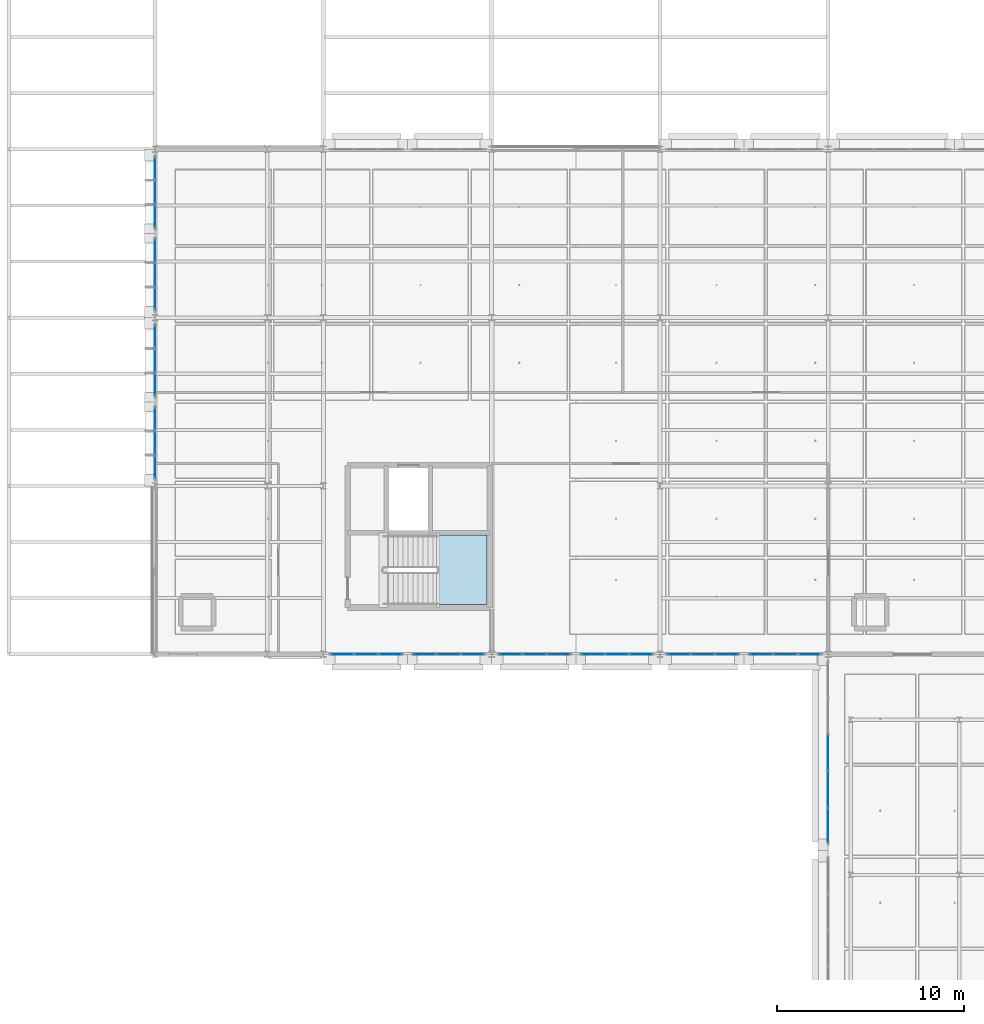
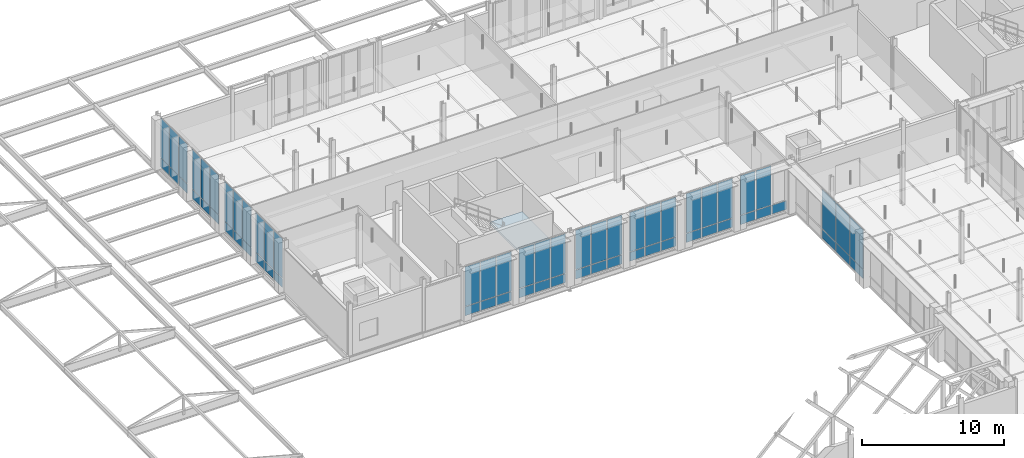
# One storey, part 74 of 140: 65 plates, 1 slab, 12 elements without a shape of their own.
"""IFC4 building model written with IfcOpenShell, lengths in metres."""

from ifc_helpers import new_model, si_unit, direction, frame, origin, origin_2d, place, context, subcontext, project, spatial, polyline, rectangle, outline, extrude, material, layer, layer_set, type_object, element, aggregate, save


model = new_model("IFC4")

# Units and contexts
model_context = context("Model", 3, precision=1e-05, world=origin(), true_north=direction((0.0, 1.0)))
body_context = subcontext(model_context, "Body", "Model", "MODEL_VIEW")
ifc_project = project(units=[si_unit("LENGTHUNIT", "METRE"), si_unit("AREAUNIT", "SQUARE_METRE"), si_unit("VOLUMEUNIT", "CUBIC_METRE"), si_unit("PLANEANGLEUNIT", "RADIAN"), si_unit("MASSUNIT", "GRAM", prefix="KILO"), si_unit("THERMODYNAMICTEMPERATUREUNIT", "KELVIN"), si_unit("POWERUNIT", "WATT")], contexts=[model_context])

# Site, building, storey
site_placement = place(None, origin())
site = spatial("IfcSite", under=ifc_project, at=site_placement, CompositionType="ELEMENT")
building_placement = place(site_placement, origin())
building = spatial("IfcBuilding", under=site, at=building_placement, Name="Tallowbark Science Centre", CompositionType="ELEMENT")
storey_placement = place(building_placement, frame((0.0, 0.0, 9.89990234375)))
storey = spatial("IfcBuildingStorey", under=building, at=storey_placement, Name="L02", CompositionType="ELEMENT", Elevation=9.89990234375)

# Curtain wall, plates
ifc_material_1 = material(Name="Unitised Thermally Broken Aluminium and Low-E Double Glazing", Category="aluminium")
curtain_wall_type = type_object("IfcCurtainWallType", Name="CW-SYS-FACADE", PredefinedType="NOTDEFINED", material=ifc_material_1)
curtain_wall_1_placement = place(storey_placement, origin())
curtain_wall_1 = element("IfcCurtainWall", 1, at=curtain_wall_1_placement, inside=storey, type_object=curtain_wall_type, Name="Unitised Curtain Wall LNK-W-2 CW-L02-020", PredefinedType="NOTDEFINED")
ifc_material_2 = material(Name="Double Glazed Argon Low-E Vision Glass", Category="glass")
ifc_layer_1 = layer(ifc_material_2, 0.028076171875)
ifc_layer_set_1 = layer_set([ifc_layer_1], Name="Double Glazed Argon Low-E Vision Glass")
plate_type_1 = type_object("IfcPlateType", Name="CWP-GLZ-28", PredefinedType="CURTAIN_PANEL", material=ifc_layer_set_1)
plate_1_placement = place(storey_placement, frame((99.0, 66.75, 0.05517578125), z_axis=(0.0, 0.0, 1.0), x_axis=(0.0, -1.0, 0.0)))
plate_1 = element("IfcPlate", 2, at=plate_1_placement, type_object=plate_type_1, Name="CW-01 panel 3.1", PredefinedType="CURTAIN_PANEL", context=body_context, shape_type="SweptSolid", body=[
    extrude(rectangle(XDim=1.89501953125, YDim=0.028076171875, at=origin_2d()), origin(), (0.0, 0.0, 1.0), 0.767578125),
])
plate_2_placement = place(storey_placement, frame((99.0, 66.75, 0.87744140625), z_axis=(0.0, 0.0, 1.0), x_axis=(0.0, -1.0, 0.0)))
plate_2 = element("IfcPlate", 3, at=plate_2_placement, type_object=plate_type_1, Name="CW-01 panel 3.2", PredefinedType="CURTAIN_PANEL", context=body_context, shape_type="SweptSolid", body=[
    extrude(rectangle(XDim=1.89501953125, YDim=0.028076171875, at=origin_2d()), origin(), (0.0, 0.0, 1.0), 3.387451171875),
])
plate_3_placement = place(storey_placement, frame((99.0, 64.7900390625, 0.05517578125), z_axis=(0.0, 0.0, 1.0), x_axis=(0.0, -1.0, 0.0)))
plate_3 = element("IfcPlate", 4, at=plate_3_placement, type_object=plate_type_1, Name="CW-01 panel 4.1", PredefinedType="CURTAIN_PANEL", context=body_context, shape_type="SweptSolid", body=[
    extrude(rectangle(XDim=1.89501953125, YDim=0.028076171875, at=origin_2d()), origin(), (0.0, 0.0, 1.0), 0.767578125),
])
plate_4_placement = place(storey_placement, frame((99.0, 64.7900390625, 0.87744140625), z_axis=(0.0, 0.0, 1.0), x_axis=(0.0, -1.0, 0.0)))
plate_4 = element("IfcPlate", 5, at=plate_4_placement, type_object=plate_type_1, Name="CW-01 panel 4.2", PredefinedType="CURTAIN_PANEL", context=body_context, shape_type="SweptSolid", body=[
    extrude(rectangle(XDim=1.89501953125, YDim=0.028076171875, at=origin_2d()), origin(), (0.0, 0.0, 1.0), 3.387451171875),
])
plate_5_placement = place(storey_placement, frame((99.0, 62.84619140625, 0.05517578125), z_axis=(0.0, 0.0, 1.0), x_axis=(0.0, -1.0, 0.0)))
plate_5 = element("IfcPlate", 6, at=plate_5_placement, type_object=plate_type_1, Name="CW-01 panel 5.1", PredefinedType="CURTAIN_PANEL", context=body_context, shape_type="SweptSolid", body=[
    extrude(rectangle(XDim=1.862548828125, YDim=0.028076171875, at=origin_2d()), origin(), (0.0, 0.0, 1.0), 0.767578125),
])
plate_6_placement = place(storey_placement, frame((99.0, 62.84619140625, 0.87744140625), z_axis=(0.0, 0.0, 1.0), x_axis=(0.0, -1.0, 0.0)))
plate_6 = element("IfcPlate", 7, at=plate_6_placement, type_object=plate_type_1, Name="CW-01 panel 5.2", PredefinedType="CURTAIN_PANEL", context=body_context, shape_type="SweptSolid", body=[
    extrude(rectangle(XDim=1.862548828125, YDim=0.028076171875, at=origin_2d()), origin(), (0.0, 0.0, 1.0), 3.387451171875),
])
aggregate(curtain_wall_1, [plate_1, plate_2, plate_3, plate_4, plate_5, plate_6])

curtain_wall_2_placement = place(storey_placement, origin())
curtain_wall_2 = element("IfcCurtainWall", 8, at=curtain_wall_2_placement, inside=storey, type_object=curtain_wall_type, Name="Unitised Curtain Wall LAB-S-72B CW-L02-061", PredefinedType="NOTDEFINED")
plate_7_placement = place(storey_placement, frame((77.416259765625, 72.0, 0.05517578125), z_axis=(0.0, 0.0, 1.0), x_axis=(1.0, 0.0, 0.0)))
plate_7 = element("IfcPlate", 9, at=plate_7_placement, type_object=plate_type_1, Name="CW-01 panel 1.1", PredefinedType="CURTAIN_PANEL", context=body_context, shape_type="SweptSolid", body=[
    extrude(rectangle(XDim=1.202392578125, YDim=0.028076171875, at=origin_2d()), origin(), (0.0, 0.0, 1.0), 0.767578125),
])
plate_8_placement = place(storey_placement, frame((77.416259765625, 72.0, 0.87744140625), z_axis=(0.0, 0.0, 1.0), x_axis=(1.0, 0.0, 0.0)))
plate_8 = element("IfcPlate", 10, at=plate_8_placement, type_object=plate_type_1, Name="CW-01 panel 1.2", PredefinedType="CURTAIN_PANEL", context=body_context, shape_type="SweptSolid", body=[
    extrude(rectangle(XDim=1.202392578125, YDim=0.028076171875, at=origin_2d()), origin(), (0.0, 0.0, 1.0), 3.387451171875),
])
plate_9_placement = place(storey_placement, frame((78.699951171875, 72.0, 0.05517578125), z_axis=(0.0, 0.0, 1.0), x_axis=(1.0, 0.0, 0.0)))
plate_9 = element("IfcPlate", 11, at=plate_9_placement, type_object=plate_type_1, Name="CW-01 panel 2.1", PredefinedType="CURTAIN_PANEL", context=body_context, shape_type="SweptSolid", body=[
    extrude(rectangle(XDim=1.235107421875, YDim=0.028076171875, at=origin_2d()), origin(), (0.0, 0.0, 1.0), 0.767578125),
])
plate_10_placement = place(storey_placement, frame((78.699951171875, 72.0, 0.87744140625), z_axis=(0.0, 0.0, 1.0), x_axis=(1.0, 0.0, 0.0)))
plate_10 = element("IfcPlate", 12, at=plate_10_placement, type_object=plate_type_1, Name="CW-01 panel 2.2", PredefinedType="CURTAIN_PANEL", context=body_context, shape_type="SweptSolid", body=[
    extrude(rectangle(XDim=1.235107421875, YDim=0.028076171875, at=origin_2d()), origin(), (0.0, 0.0, 1.0), 3.387451171875),
])
plate_11_placement = place(storey_placement, frame((79.983642578125, 72.0, 0.05517578125), z_axis=(0.0, 0.0, 1.0), x_axis=(1.0, 0.0, 0.0)))
plate_11 = element("IfcPlate", 13, at=plate_11_placement, type_object=plate_type_1, Name="CW-01 panel 3.1", PredefinedType="CURTAIN_PANEL", context=body_context, shape_type="SweptSolid", body=[
    extrude(rectangle(XDim=1.202392578125, YDim=0.028076171875, at=origin_2d()), origin(), (0.0, 0.0, 1.0), 0.767578125),
])
plate_12_placement = place(storey_placement, frame((79.983642578125, 72.0, 0.87744140625), z_axis=(0.0, 0.0, 1.0), x_axis=(1.0, 0.0, 0.0)))
plate_12 = element("IfcPlate", 14, at=plate_12_placement, type_object=plate_type_1, Name="CW-01 panel 3.2", PredefinedType="CURTAIN_PANEL", context=body_context, shape_type="SweptSolid", body=[
    extrude(rectangle(XDim=1.202392578125, YDim=0.028076171875, at=origin_2d()), origin(), (0.0, 0.0, 1.0), 3.387451171875),
])
aggregate(curtain_wall_2, [plate_7, plate_8, plate_9, plate_10, plate_11, plate_12])

curtain_wall_3_placement = place(storey_placement, origin())
curtain_wall_3 = element("IfcCurtainWall", 15, at=curtain_wall_3_placement, inside=storey, type_object=curtain_wall_type, Name="Unitised Curtain Wall LAB-S-81A CW-L02-062", PredefinedType="NOTDEFINED")
plate_13_placement = place(storey_placement, frame((82.016357421875, 72.0, 0.05517578125), z_axis=(0.0, 0.0, 1.0), x_axis=(1.0, 0.0, 0.0)))
plate_13 = element("IfcPlate", 16, at=plate_13_placement, type_object=plate_type_1, Name="CW-01 panel 1.1", PredefinedType="CURTAIN_PANEL", context=body_context, shape_type="SweptSolid", body=[
    extrude(rectangle(XDim=1.202392578125, YDim=0.028076171875, at=origin_2d()), origin(), (0.0, 0.0, 1.0), 0.767578125),
])
plate_14_placement = place(storey_placement, frame((82.016357421875, 72.0, 0.87744140625), z_axis=(0.0, 0.0, 1.0), x_axis=(1.0, 0.0, 0.0)))
plate_14 = element("IfcPlate", 17, at=plate_14_placement, type_object=plate_type_1, Name="CW-01 panel 1.2", PredefinedType="CURTAIN_PANEL", context=body_context, shape_type="SweptSolid", body=[
    extrude(rectangle(XDim=1.202392578125, YDim=0.028076171875, at=origin_2d()), origin(), (0.0, 0.0, 1.0), 3.387451171875),
])
plate_15_placement = place(storey_placement, frame((83.300048828125, 72.0, 0.05517578125), z_axis=(0.0, 0.0, 1.0), x_axis=(1.0, 0.0, 0.0)))
plate_15 = element("IfcPlate", 18, at=plate_15_placement, type_object=plate_type_1, Name="CW-01 panel 2.1", PredefinedType="CURTAIN_PANEL", context=body_context, shape_type="SweptSolid", body=[
    extrude(rectangle(XDim=1.235107421875, YDim=0.028076171875, at=origin_2d()), origin(), (0.0, 0.0, 1.0), 0.767578125),
])
plate_16_placement = place(storey_placement, frame((83.300048828125, 72.0, 0.87744140625), z_axis=(0.0, 0.0, 1.0), x_axis=(1.0, 0.0, 0.0)))
plate_16 = element("IfcPlate", 19, at=plate_16_placement, type_object=plate_type_1, Name="CW-01 panel 2.2", PredefinedType="CURTAIN_PANEL", context=body_context, shape_type="SweptSolid", body=[
    extrude(rectangle(XDim=1.235107421875, YDim=0.028076171875, at=origin_2d()), origin(), (0.0, 0.0, 1.0), 3.387451171875),
])
plate_17_placement = place(storey_placement, frame((84.583740234375, 72.0, 0.05517578125), z_axis=(0.0, 0.0, 1.0), x_axis=(1.0, 0.0, 0.0)))
plate_17 = element("IfcPlate", 20, at=plate_17_placement, type_object=plate_type_1, Name="CW-01 panel 3.1", PredefinedType="CURTAIN_PANEL", context=body_context, shape_type="SweptSolid", body=[
    extrude(rectangle(XDim=1.202392578125, YDim=0.028076171875, at=origin_2d()), origin(), (0.0, 0.0, 1.0), 0.767578125),
])
plate_18_placement = place(storey_placement, frame((84.583740234375, 72.0, 0.87744140625), z_axis=(0.0, 0.0, 1.0), x_axis=(1.0, 0.0, 0.0)))
plate_18 = element("IfcPlate", 21, at=plate_18_placement, type_object=plate_type_1, Name="CW-01 panel 3.2", PredefinedType="CURTAIN_PANEL", context=body_context, shape_type="SweptSolid", body=[
    extrude(rectangle(XDim=1.202392578125, YDim=0.028076171875, at=origin_2d()), origin(), (0.0, 0.0, 1.0), 3.387451171875),
])
aggregate(curtain_wall_3, [plate_13, plate_14, plate_15, plate_16, plate_17, plate_18])

curtain_wall_4_placement = place(storey_placement, origin())
curtain_wall_4 = element("IfcCurtainWall", 22, at=curtain_wall_4_placement, inside=storey, type_object=curtain_wall_type, Name="Unitised Curtain Wall LAB-S-90A CW-L02-064", PredefinedType="NOTDEFINED")
plate_19_placement = place(storey_placement, frame((91.016357421875, 72.0, 0.05517578125), z_axis=(0.0, 0.0, 1.0), x_axis=(1.0, 0.0, 0.0)))
plate_19 = element("IfcPlate", 23, at=plate_19_placement, type_object=plate_type_1, Name="CW-01 panel 1.1", PredefinedType="CURTAIN_PANEL", context=body_context, shape_type="SweptSolid", body=[
    extrude(rectangle(XDim=1.202392578125, YDim=0.028076171875, at=origin_2d()), origin(), (0.0, 0.0, 1.0), 0.767578125),
])
plate_20_placement = place(storey_placement, frame((91.016357421875, 72.0, 0.87744140625), z_axis=(0.0, 0.0, 1.0), x_axis=(1.0, 0.0, 0.0)))
plate_20 = element("IfcPlate", 24, at=plate_20_placement, type_object=plate_type_1, Name="CW-01 panel 1.2", PredefinedType="CURTAIN_PANEL", context=body_context, shape_type="SweptSolid", body=[
    extrude(rectangle(XDim=1.202392578125, YDim=0.028076171875, at=origin_2d()), origin(), (0.0, 0.0, 1.0), 3.387451171875),
])
plate_21_placement = place(storey_placement, frame((92.300048828125, 72.0, 0.05517578125), z_axis=(0.0, 0.0, 1.0), x_axis=(1.0, 0.0, 0.0)))
plate_21 = element("IfcPlate", 25, at=plate_21_placement, type_object=plate_type_1, Name="CW-01 panel 2.1", PredefinedType="CURTAIN_PANEL", context=body_context, shape_type="SweptSolid", body=[
    extrude(rectangle(XDim=1.235107421875, YDim=0.028076171875, at=origin_2d()), origin(), (0.0, 0.0, 1.0), 0.767578125),
])
plate_22_placement = place(storey_placement, frame((92.300048828125, 72.0, 0.87744140625), z_axis=(0.0, 0.0, 1.0), x_axis=(1.0, 0.0, 0.0)))
plate_22 = element("IfcPlate", 26, at=plate_22_placement, type_object=plate_type_1, Name="CW-01 panel 2.2", PredefinedType="CURTAIN_PANEL", context=body_context, shape_type="SweptSolid", body=[
    extrude(rectangle(XDim=1.235107421875, YDim=0.028076171875, at=origin_2d()), origin(), (0.0, 0.0, 1.0), 3.387451171875),
])
plate_23_placement = place(storey_placement, frame((93.583740234375, 72.0, 0.05517578125), z_axis=(0.0, 0.0, 1.0), x_axis=(1.0, 0.0, 0.0)))
plate_23 = element("IfcPlate", 27, at=plate_23_placement, type_object=plate_type_1, Name="CW-01 panel 3.1", PredefinedType="CURTAIN_PANEL", context=body_context, shape_type="SweptSolid", body=[
    extrude(rectangle(XDim=1.202392578125, YDim=0.028076171875, at=origin_2d()), origin(), (0.0, 0.0, 1.0), 0.767578125),
])
plate_24_placement = place(storey_placement, frame((93.583740234375, 72.0, 0.87744140625), z_axis=(0.0, 0.0, 1.0), x_axis=(1.0, 0.0, 0.0)))
plate_24 = element("IfcPlate", 28, at=plate_24_placement, type_object=plate_type_1, Name="CW-01 panel 3.2", PredefinedType="CURTAIN_PANEL", context=body_context, shape_type="SweptSolid", body=[
    extrude(rectangle(XDim=1.202392578125, YDim=0.028076171875, at=origin_2d()), origin(), (0.0, 0.0, 1.0), 3.387451171875),
])
aggregate(curtain_wall_4, [plate_19, plate_20, plate_21, plate_22, plate_23, plate_24])

curtain_wall_5_placement = place(storey_placement, origin())
curtain_wall_5 = element("IfcCurtainWall", 29, at=curtain_wall_5_placement, inside=storey, type_object=curtain_wall_type, Name="Unitised Curtain Wall LAB-S-90B CW-L02-065", PredefinedType="NOTDEFINED")
plate_25_placement = place(storey_placement, frame((95.416259765625, 72.0, 0.05517578125), z_axis=(0.0, 0.0, 1.0), x_axis=(1.0, 0.0, 0.0)))
plate_25 = element("IfcPlate", 30, at=plate_25_placement, type_object=plate_type_1, Name="CW-01 panel 1.1", PredefinedType="CURTAIN_PANEL", context=body_context, shape_type="SweptSolid", body=[
    extrude(rectangle(XDim=1.202392578125, YDim=0.028076171875, at=origin_2d()), origin(), (0.0, 0.0, 1.0), 0.767578125),
])
plate_26_placement = place(storey_placement, frame((95.416259765625, 72.0, 0.87744140625), z_axis=(0.0, 0.0, 1.0), x_axis=(1.0, 0.0, 0.0)))
plate_26 = element("IfcPlate", 31, at=plate_26_placement, type_object=plate_type_1, Name="CW-01 panel 1.2", PredefinedType="CURTAIN_PANEL", context=body_context, shape_type="SweptSolid", body=[
    extrude(rectangle(XDim=1.202392578125, YDim=0.028076171875, at=origin_2d()), origin(), (0.0, 0.0, 1.0), 3.387451171875),
])
plate_27_placement = place(storey_placement, frame((96.699951171875, 72.0, 0.05517578125), z_axis=(0.0, 0.0, 1.0), x_axis=(1.0, 0.0, 0.0)))
plate_27 = element("IfcPlate", 32, at=plate_27_placement, type_object=plate_type_1, Name="CW-01 panel 2.1", PredefinedType="CURTAIN_PANEL", context=body_context, shape_type="SweptSolid", body=[
    extrude(rectangle(XDim=1.235107421875, YDim=0.028076171875, at=origin_2d()), origin(), (0.0, 0.0, 1.0), 0.767578125),
])
plate_28_placement = place(storey_placement, frame((96.699951171875, 72.0, 0.87744140625), z_axis=(0.0, 0.0, 1.0), x_axis=(1.0, 0.0, 0.0)))
plate_28 = element("IfcPlate", 33, at=plate_28_placement, type_object=plate_type_1, Name="CW-01 panel 2.2", PredefinedType="CURTAIN_PANEL", context=body_context, shape_type="SweptSolid", body=[
    extrude(rectangle(XDim=1.235107421875, YDim=0.028076171875, at=origin_2d()), origin(), (0.0, 0.0, 1.0), 3.387451171875),
])
plate_29_placement = place(storey_placement, frame((97.983642578125, 72.0, 0.05517578125), z_axis=(0.0, 0.0, 1.0), x_axis=(1.0, 0.0, 0.0)))
plate_29 = element("IfcPlate", 34, at=plate_29_placement, type_object=plate_type_1, Name="CW-01 panel 3.1", PredefinedType="CURTAIN_PANEL", context=body_context, shape_type="SweptSolid", body=[
    extrude(rectangle(XDim=1.202392578125, YDim=0.028076171875, at=origin_2d()), origin(), (0.0, 0.0, 1.0), 0.767578125),
])
aggregate(curtain_wall_5, [plate_25, plate_26, plate_27, plate_28, plate_29])

curtain_wall_6_placement = place(storey_placement, origin())
curtain_wall_6 = element("IfcCurtainWall", 35, at=curtain_wall_6_placement, inside=storey, type_object=curtain_wall_type, Name="Unitised Curtain Wall LAB-W-81B CW-L02-067", PredefinedType="NOTDEFINED")
plate_30_placement = place(storey_placement, frame((63.0, 84.583740234375, 0.05517578125), z_axis=(0.0, 0.0, 1.0), x_axis=(0.0, -1.0, 0.0)))
plate_30 = element("IfcPlate", 36, at=plate_30_placement, type_object=plate_type_1, Name="CW-01 panel 1.1", PredefinedType="CURTAIN_PANEL", context=body_context, shape_type="SweptSolid", body=[
    extrude(rectangle(XDim=1.202392578125, YDim=0.028076171875, at=origin_2d()), origin(), (0.0, 0.0, 1.0), 0.767578125),
])
plate_31_placement = place(storey_placement, frame((63.0, 84.583740234375, 0.87744140625), z_axis=(0.0, 0.0, 1.0), x_axis=(0.0, -1.0, 0.0)))
plate_31 = element("IfcPlate", 37, at=plate_31_placement, type_object=plate_type_1, Name="CW-01 panel 1.2", PredefinedType="CURTAIN_PANEL", context=body_context, shape_type="SweptSolid", body=[
    extrude(rectangle(XDim=1.202392578125, YDim=0.028076171875, at=origin_2d()), origin(), (0.0, 0.0, 1.0), 3.387451171875),
])
plate_32_placement = place(storey_placement, frame((63.0, 83.300048828125, 0.05517578125), z_axis=(0.0, 0.0, 1.0), x_axis=(0.0, -1.0, 0.0)))
plate_32 = element("IfcPlate", 38, at=plate_32_placement, type_object=plate_type_1, Name="CW-01 panel 2.1", PredefinedType="CURTAIN_PANEL", context=body_context, shape_type="SweptSolid", body=[
    extrude(rectangle(XDim=1.235107421875, YDim=0.028076171875, at=origin_2d()), origin(), (0.0, 0.0, 1.0), 0.767578125),
])
plate_33_placement = place(storey_placement, frame((63.0, 83.300048828125, 0.87744140625), z_axis=(0.0, 0.0, 1.0), x_axis=(0.0, -1.0, 0.0)))
plate_33 = element("IfcPlate", 39, at=plate_33_placement, type_object=plate_type_1, Name="CW-01 panel 2.2", PredefinedType="CURTAIN_PANEL", context=body_context, shape_type="SweptSolid", body=[
    extrude(rectangle(XDim=1.235107421875, YDim=0.028076171875, at=origin_2d()), origin(), (0.0, 0.0, 1.0), 3.387451171875),
])
plate_34_placement = place(storey_placement, frame((63.0, 82.016357421875, 0.05517578125), z_axis=(0.0, 0.0, 1.0), x_axis=(0.0, -1.0, 0.0)))
plate_34 = element("IfcPlate", 40, at=plate_34_placement, type_object=plate_type_1, Name="CW-01 panel 3.1", PredefinedType="CURTAIN_PANEL", context=body_context, shape_type="SweptSolid", body=[
    extrude(rectangle(XDim=1.202392578125, YDim=0.028076171875, at=origin_2d()), origin(), (0.0, 0.0, 1.0), 0.767578125),
])
plate_35_placement = place(storey_placement, frame((63.0, 82.016357421875, 0.87744140625), z_axis=(0.0, 0.0, 1.0), x_axis=(0.0, -1.0, 0.0)))
plate_35 = element("IfcPlate", 41, at=plate_35_placement, type_object=plate_type_1, Name="CW-01 panel 3.2", PredefinedType="CURTAIN_PANEL", context=body_context, shape_type="SweptSolid", body=[
    extrude(rectangle(XDim=1.202392578125, YDim=0.028076171875, at=origin_2d()), origin(), (0.0, 0.0, 1.0), 3.387451171875),
])
aggregate(curtain_wall_6, [plate_30, plate_31, plate_32, plate_33, plate_34, plate_35])

curtain_wall_7_placement = place(storey_placement, origin())
curtain_wall_7 = element("IfcCurtainWall", 42, at=curtain_wall_7_placement, inside=storey, type_object=curtain_wall_type, Name="Unitised Curtain Wall LAB-W-90A CW-L02-068", PredefinedType="NOTDEFINED")
plate_36_placement = place(storey_placement, frame((63.0, 97.983642578125, 0.05517578125), z_axis=(0.0, 0.0, 1.0), x_axis=(0.0, -1.0, 0.0)))
plate_36 = element("IfcPlate", 43, at=plate_36_placement, type_object=plate_type_1, Name="CW-01 panel 1.1", PredefinedType="CURTAIN_PANEL", context=body_context, shape_type="SweptSolid", body=[
    extrude(rectangle(XDim=1.202392578125, YDim=0.028076171875, at=origin_2d()), origin(), (0.0, 0.0, 1.0), 0.767578125),
])
plate_37_placement = place(storey_placement, frame((63.0, 97.983642578125, 0.87744140625), z_axis=(0.0, 0.0, 1.0), x_axis=(0.0, -1.0, 0.0)))
plate_37 = element("IfcPlate", 44, at=plate_37_placement, type_object=plate_type_1, Name="CW-01 panel 1.2", PredefinedType="CURTAIN_PANEL", context=body_context, shape_type="SweptSolid", body=[
    extrude(rectangle(XDim=1.202392578125, YDim=0.028076171875, at=origin_2d()), origin(), (0.0, 0.0, 1.0), 3.387451171875),
])
plate_38_placement = place(storey_placement, frame((63.0, 96.699951171875, 0.05517578125), z_axis=(0.0, 0.0, 1.0), x_axis=(0.0, -1.0, 0.0)))
plate_38 = element("IfcPlate", 45, at=plate_38_placement, type_object=plate_type_1, Name="CW-01 panel 2.1", PredefinedType="CURTAIN_PANEL", context=body_context, shape_type="SweptSolid", body=[
    extrude(rectangle(XDim=1.235107421875, YDim=0.028076171875, at=origin_2d()), origin(), (0.0, 0.0, 1.0), 0.767578125),
])
plate_39_placement = place(storey_placement, frame((63.0, 96.699951171875, 0.87744140625), z_axis=(0.0, 0.0, 1.0), x_axis=(0.0, -1.0, 0.0)))
plate_39 = element("IfcPlate", 46, at=plate_39_placement, type_object=plate_type_1, Name="CW-01 panel 2.2", PredefinedType="CURTAIN_PANEL", context=body_context, shape_type="SweptSolid", body=[
    extrude(rectangle(XDim=1.235107421875, YDim=0.028076171875, at=origin_2d()), origin(), (0.0, 0.0, 1.0), 3.387451171875),
])
plate_40_placement = place(storey_placement, frame((63.0, 95.416259765625, 0.05517578125), z_axis=(0.0, 0.0, 1.0), x_axis=(0.0, -1.0, 0.0)))
plate_40 = element("IfcPlate", 47, at=plate_40_placement, type_object=plate_type_1, Name="CW-01 panel 3.1", PredefinedType="CURTAIN_PANEL", context=body_context, shape_type="SweptSolid", body=[
    extrude(rectangle(XDim=1.202392578125, YDim=0.028076171875, at=origin_2d()), origin(), (0.0, 0.0, 1.0), 0.767578125),
])
plate_41_placement = place(storey_placement, frame((63.0, 95.416259765625, 0.87744140625), z_axis=(0.0, 0.0, 1.0), x_axis=(0.0, -1.0, 0.0)))
plate_41 = element("IfcPlate", 48, at=plate_41_placement, type_object=plate_type_1, Name="CW-01 panel 3.2", PredefinedType="CURTAIN_PANEL", context=body_context, shape_type="SweptSolid", body=[
    extrude(rectangle(XDim=1.202392578125, YDim=0.028076171875, at=origin_2d()), origin(), (0.0, 0.0, 1.0), 3.387451171875),
])
aggregate(curtain_wall_7, [plate_36, plate_37, plate_38, plate_39, plate_40, plate_41])

curtain_wall_8_placement = place(storey_placement, origin())
curtain_wall_8 = element("IfcCurtainWall", 49, at=curtain_wall_8_placement, inside=storey, type_object=curtain_wall_type, Name="Unitised Curtain Wall LAB-S-72A CW-L02-060", PredefinedType="NOTDEFINED")
ifc_material_3 = material(Name="Ceramic-Fritted Insulated Glass Spandrel Panel", Category="glass")
ifc_layer_2 = layer(ifc_material_3, 0.031982421875)
ifc_layer_set_2 = layer_set([ifc_layer_2], Name="Ceramic-Fritted Insulated Glass Spandrel Panel")
plate_type_2 = type_object("IfcPlateType", Name="CWP-SPN-32", PredefinedType="CURTAIN_PANEL", material=ifc_layer_set_2)
plate_42_placement = place(storey_placement, frame((73.016357421875, 72.0, 0.05517578125), z_axis=(0.0, 0.0, 1.0), x_axis=(1.0, 0.0, 0.0)))
plate_42 = element("IfcPlate", 50, at=plate_42_placement, type_object=plate_type_2, Name="CW-01 panel 1.1", PredefinedType="CURTAIN_PANEL", context=body_context, shape_type="SweptSolid", body=[
    extrude(rectangle(XDim=1.202392578125, YDim=0.031982421875, at=origin_2d()), origin(), (0.0, 0.0, 1.0), 0.767578125),
])
plate_43_placement = place(storey_placement, frame((73.016357421875, 72.0, 0.87744140625), z_axis=(0.0, 0.0, 1.0), x_axis=(1.0, 0.0, 0.0)))
plate_43 = element("IfcPlate", 51, at=plate_43_placement, type_object=plate_type_2, Name="CW-01 panel 1.2", PredefinedType="CURTAIN_PANEL", context=body_context, shape_type="SweptSolid", body=[
    extrude(rectangle(XDim=1.202392578125, YDim=0.031982421875, at=origin_2d()), origin(), (0.0, 0.0, 1.0), 3.387451171875),
])
plate_44_placement = place(storey_placement, frame((74.300048828125, 72.0, 0.05517578125), z_axis=(0.0, 0.0, 1.0), x_axis=(1.0, 0.0, 0.0)))
plate_44 = element("IfcPlate", 52, at=plate_44_placement, type_object=plate_type_2, Name="CW-01 panel 2.1", PredefinedType="CURTAIN_PANEL", context=body_context, shape_type="SweptSolid", body=[
    extrude(rectangle(XDim=1.235107421875, YDim=0.031982421875, at=origin_2d()), origin(), (0.0, 0.0, 1.0), 0.767578125),
])
plate_45_placement = place(storey_placement, frame((74.300048828125, 72.0, 0.87744140625), z_axis=(0.0, 0.0, 1.0), x_axis=(1.0, 0.0, 0.0)))
plate_45 = element("IfcPlate", 53, at=plate_45_placement, type_object=plate_type_2, Name="CW-01 panel 2.2", PredefinedType="CURTAIN_PANEL", context=body_context, shape_type="SweptSolid", body=[
    extrude(rectangle(XDim=1.235107421875, YDim=0.031982421875, at=origin_2d()), origin(), (0.0, 0.0, 1.0), 3.387451171875),
])
plate_46_placement = place(storey_placement, frame((75.583740234375, 72.0, 0.05517578125), z_axis=(0.0, 0.0, 1.0), x_axis=(1.0, 0.0, 0.0)))
plate_46 = element("IfcPlate", 54, at=plate_46_placement, type_object=plate_type_2, Name="CW-01 panel 3.1", PredefinedType="CURTAIN_PANEL", context=body_context, shape_type="SweptSolid", body=[
    extrude(rectangle(XDim=1.202392578125, YDim=0.031982421875, at=origin_2d()), origin(), (0.0, 0.0, 1.0), 0.767578125),
])
plate_47_placement = place(storey_placement, frame((75.583740234375, 72.0, 0.87744140625), z_axis=(0.0, 0.0, 1.0), x_axis=(1.0, 0.0, 0.0)))
plate_47 = element("IfcPlate", 55, at=plate_47_placement, type_object=plate_type_2, Name="CW-01 panel 3.2", PredefinedType="CURTAIN_PANEL", context=body_context, shape_type="SweptSolid", body=[
    extrude(rectangle(XDim=1.202392578125, YDim=0.031982421875, at=origin_2d()), origin(), (0.0, 0.0, 1.0), 3.387451171875),
])
aggregate(curtain_wall_8, [plate_42, plate_43, plate_44, plate_45, plate_46, plate_47])

curtain_wall_9_placement = place(storey_placement, origin())
curtain_wall_9 = element("IfcCurtainWall", 56, at=curtain_wall_9_placement, inside=storey, type_object=curtain_wall_type, Name="Unitised Curtain Wall LAB-S-81B CW-L02-063", PredefinedType="NOTDEFINED")
plate_48_placement = place(storey_placement, frame((86.416259765625, 72.0, 0.05517578125), z_axis=(0.0, 0.0, 1.0), x_axis=(1.0, 0.0, 0.0)))
plate_48 = element("IfcPlate", 57, at=plate_48_placement, type_object=plate_type_2, Name="CW-01 panel 1.1", PredefinedType="CURTAIN_PANEL", context=body_context, shape_type="SweptSolid", body=[
    extrude(rectangle(XDim=1.202392578125, YDim=0.031982421875, at=origin_2d()), origin(), (0.0, 0.0, 1.0), 0.767578125),
])
plate_49_placement = place(storey_placement, frame((86.416259765625, 72.0, 0.87744140625), z_axis=(0.0, 0.0, 1.0), x_axis=(1.0, 0.0, 0.0)))
plate_49 = element("IfcPlate", 58, at=plate_49_placement, type_object=plate_type_2, Name="CW-01 panel 1.2", PredefinedType="CURTAIN_PANEL", context=body_context, shape_type="SweptSolid", body=[
    extrude(rectangle(XDim=1.202392578125, YDim=0.031982421875, at=origin_2d()), origin(), (0.0, 0.0, 1.0), 3.387451171875),
])
plate_50_placement = place(storey_placement, frame((87.699951171875, 72.0, 0.05517578125), z_axis=(0.0, 0.0, 1.0), x_axis=(1.0, 0.0, 0.0)))
plate_50 = element("IfcPlate", 59, at=plate_50_placement, type_object=plate_type_2, Name="CW-01 panel 2.1", PredefinedType="CURTAIN_PANEL", context=body_context, shape_type="SweptSolid", body=[
    extrude(rectangle(XDim=1.235107421875, YDim=0.031982421875, at=origin_2d()), origin(), (0.0, 0.0, 1.0), 0.767578125),
])
plate_51_placement = place(storey_placement, frame((87.699951171875, 72.0, 0.87744140625), z_axis=(0.0, 0.0, 1.0), x_axis=(1.0, 0.0, 0.0)))
plate_51 = element("IfcPlate", 60, at=plate_51_placement, type_object=plate_type_2, Name="CW-01 panel 2.2", PredefinedType="CURTAIN_PANEL", context=body_context, shape_type="SweptSolid", body=[
    extrude(rectangle(XDim=1.235107421875, YDim=0.031982421875, at=origin_2d()), origin(), (0.0, 0.0, 1.0), 3.387451171875),
])
plate_52_placement = place(storey_placement, frame((88.983642578125, 72.0, 0.05517578125), z_axis=(0.0, 0.0, 1.0), x_axis=(1.0, 0.0, 0.0)))
plate_52 = element("IfcPlate", 61, at=plate_52_placement, type_object=plate_type_2, Name="CW-01 panel 3.1", PredefinedType="CURTAIN_PANEL", context=body_context, shape_type="SweptSolid", body=[
    extrude(rectangle(XDim=1.202392578125, YDim=0.031982421875, at=origin_2d()), origin(), (0.0, 0.0, 1.0), 0.767578125),
])
plate_53_placement = place(storey_placement, frame((88.983642578125, 72.0, 0.87744140625), z_axis=(0.0, 0.0, 1.0), x_axis=(1.0, 0.0, 0.0)))
plate_53 = element("IfcPlate", 62, at=plate_53_placement, type_object=plate_type_2, Name="CW-01 panel 3.2", PredefinedType="CURTAIN_PANEL", context=body_context, shape_type="SweptSolid", body=[
    extrude(rectangle(XDim=1.202392578125, YDim=0.031982421875, at=origin_2d()), origin(), (0.0, 0.0, 1.0), 3.387451171875),
])
aggregate(curtain_wall_9, [plate_48, plate_49, plate_50, plate_51, plate_52, plate_53])

curtain_wall_10_placement = place(storey_placement, origin())
curtain_wall_10 = element("IfcCurtainWall", 63, at=curtain_wall_10_placement, inside=storey, type_object=curtain_wall_type, Name="Unitised Curtain Wall LAB-W-81A CW-L02-066", PredefinedType="NOTDEFINED")
plate_54_placement = place(storey_placement, frame((63.0, 88.983642578125, 0.05517578125), z_axis=(0.0, 0.0, 1.0), x_axis=(0.0, -1.0, 0.0)))
plate_54 = element("IfcPlate", 64, at=plate_54_placement, type_object=plate_type_2, Name="CW-01 panel 1.1", PredefinedType="CURTAIN_PANEL", context=body_context, shape_type="SweptSolid", body=[
    extrude(rectangle(XDim=1.202392578125, YDim=0.031982421875, at=origin_2d()), origin(), (0.0, 0.0, 1.0), 0.767578125),
])
plate_55_placement = place(storey_placement, frame((63.0, 88.983642578125, 0.87744140625), z_axis=(0.0, 0.0, 1.0), x_axis=(0.0, -1.0, 0.0)))
plate_55 = element("IfcPlate", 65, at=plate_55_placement, type_object=plate_type_2, Name="CW-01 panel 1.2", PredefinedType="CURTAIN_PANEL", context=body_context, shape_type="SweptSolid", body=[
    extrude(rectangle(XDim=1.202392578125, YDim=0.031982421875, at=origin_2d()), origin(), (0.0, 0.0, 1.0), 3.387451171875),
])
plate_56_placement = place(storey_placement, frame((63.0, 87.699951171875, 0.05517578125), z_axis=(0.0, 0.0, 1.0), x_axis=(0.0, -1.0, 0.0)))
plate_56 = element("IfcPlate", 66, at=plate_56_placement, type_object=plate_type_2, Name="CW-01 panel 2.1", PredefinedType="CURTAIN_PANEL", context=body_context, shape_type="SweptSolid", body=[
    extrude(rectangle(XDim=1.235107421875, YDim=0.031982421875, at=origin_2d()), origin(), (0.0, 0.0, 1.0), 0.767578125),
])
plate_57_placement = place(storey_placement, frame((63.0, 87.699951171875, 0.87744140625), z_axis=(0.0, 0.0, 1.0), x_axis=(0.0, -1.0, 0.0)))
plate_57 = element("IfcPlate", 67, at=plate_57_placement, type_object=plate_type_2, Name="CW-01 panel 2.2", PredefinedType="CURTAIN_PANEL", context=body_context, shape_type="SweptSolid", body=[
    extrude(rectangle(XDim=1.235107421875, YDim=0.031982421875, at=origin_2d()), origin(), (0.0, 0.0, 1.0), 3.387451171875),
])
plate_58_placement = place(storey_placement, frame((63.0, 86.416259765625, 0.05517578125), z_axis=(0.0, 0.0, 1.0), x_axis=(0.0, -1.0, 0.0)))
plate_58 = element("IfcPlate", 68, at=plate_58_placement, type_object=plate_type_2, Name="CW-01 panel 3.1", PredefinedType="CURTAIN_PANEL", context=body_context, shape_type="SweptSolid", body=[
    extrude(rectangle(XDim=1.202392578125, YDim=0.031982421875, at=origin_2d()), origin(), (0.0, 0.0, 1.0), 0.767578125),
])
plate_59_placement = place(storey_placement, frame((63.0, 86.416259765625, 0.87744140625), z_axis=(0.0, 0.0, 1.0), x_axis=(0.0, -1.0, 0.0)))
plate_59 = element("IfcPlate", 69, at=plate_59_placement, type_object=plate_type_2, Name="CW-01 panel 3.2", PredefinedType="CURTAIN_PANEL", context=body_context, shape_type="SweptSolid", body=[
    extrude(rectangle(XDim=1.202392578125, YDim=0.031982421875, at=origin_2d()), origin(), (0.0, 0.0, 1.0), 3.387451171875),
])
aggregate(curtain_wall_10, [plate_54, plate_55, plate_56, plate_57, plate_58, plate_59])

curtain_wall_11_placement = place(storey_placement, origin())
curtain_wall_11 = element("IfcCurtainWall", 70, at=curtain_wall_11_placement, inside=storey, type_object=curtain_wall_type, Name="Unitised Curtain Wall LAB-W-90B CW-L02-069", PredefinedType="NOTDEFINED")
plate_60_placement = place(storey_placement, frame((63.0, 93.583740234375, 0.05517578125), z_axis=(0.0, 0.0, 1.0), x_axis=(0.0, -1.0, 0.0)))
plate_60 = element("IfcPlate", 71, at=plate_60_placement, type_object=plate_type_2, Name="CW-01 panel 1.1", PredefinedType="CURTAIN_PANEL", context=body_context, shape_type="SweptSolid", body=[
    extrude(rectangle(XDim=1.202392578125, YDim=0.031982421875, at=origin_2d()), origin(), (0.0, 0.0, 1.0), 0.767578125),
])
plate_61_placement = place(storey_placement, frame((63.0, 93.583740234375, 0.87744140625), z_axis=(0.0, 0.0, 1.0), x_axis=(0.0, -1.0, 0.0)))
plate_61 = element("IfcPlate", 72, at=plate_61_placement, type_object=plate_type_2, Name="CW-01 panel 1.2", PredefinedType="CURTAIN_PANEL", context=body_context, shape_type="SweptSolid", body=[
    extrude(rectangle(XDim=1.202392578125, YDim=0.031982421875, at=origin_2d()), origin(), (0.0, 0.0, 1.0), 3.387451171875),
])
plate_62_placement = place(storey_placement, frame((63.0, 92.300048828125, 0.05517578125), z_axis=(0.0, 0.0, 1.0), x_axis=(0.0, -1.0, 0.0)))
plate_62 = element("IfcPlate", 73, at=plate_62_placement, type_object=plate_type_2, Name="CW-01 panel 2.1", PredefinedType="CURTAIN_PANEL", context=body_context, shape_type="SweptSolid", body=[
    extrude(rectangle(XDim=1.235107421875, YDim=0.031982421875, at=origin_2d()), origin(), (0.0, 0.0, 1.0), 0.767578125),
])
plate_63_placement = place(storey_placement, frame((63.0, 92.300048828125, 0.87744140625), z_axis=(0.0, 0.0, 1.0), x_axis=(0.0, -1.0, 0.0)))
plate_63 = element("IfcPlate", 74, at=plate_63_placement, type_object=plate_type_2, Name="CW-01 panel 2.2", PredefinedType="CURTAIN_PANEL", context=body_context, shape_type="SweptSolid", body=[
    extrude(rectangle(XDim=1.235107421875, YDim=0.031982421875, at=origin_2d()), origin(), (0.0, 0.0, 1.0), 3.387451171875),
])
plate_64_placement = place(storey_placement, frame((63.0, 91.016357421875, 0.05517578125), z_axis=(0.0, 0.0, 1.0), x_axis=(0.0, -1.0, 0.0)))
plate_64 = element("IfcPlate", 75, at=plate_64_placement, type_object=plate_type_2, Name="CW-01 panel 3.1", PredefinedType="CURTAIN_PANEL", context=body_context, shape_type="SweptSolid", body=[
    extrude(rectangle(XDim=1.202392578125, YDim=0.031982421875, at=origin_2d()), origin(), (0.0, 0.0, 1.0), 0.767578125),
])
plate_65_placement = place(storey_placement, frame((63.0, 91.016357421875, 0.87744140625), z_axis=(0.0, 0.0, 1.0), x_axis=(0.0, -1.0, 0.0)))
plate_65 = element("IfcPlate", 76, at=plate_65_placement, type_object=plate_type_2, Name="CW-01 panel 3.2", PredefinedType="CURTAIN_PANEL", context=body_context, shape_type="SweptSolid", body=[
    extrude(rectangle(XDim=1.202392578125, YDim=0.031982421875, at=origin_2d()), origin(), (0.0, 0.0, 1.0), 3.387451171875),
])
aggregate(curtain_wall_11, [plate_60, plate_61, plate_62, plate_63, plate_64, plate_65])

# Stair, slab
ifc_material_4 = material(Name="Concrete Grade N40 (40 MPa)", Category="concrete")
stair_type = type_object("IfcStairType", Name="STR-C1", PredefinedType="HALF_TURN_STAIR", material=ifc_material_4)
stair_placement = place(storey_placement, origin())
stair = element("IfcStair", 77, at=stair_placement, inside=storey, type_object=stair_type, Name="L02 Fire Stair ST-01", PredefinedType="HALF_TURN_STAIR")
ifc_layer_3 = layer(ifc_material_4, 0.199951171875)
ifc_layer_set_3 = layer_set([ifc_layer_3], Name="Concrete Grade N40 (40 MPa)")
slab_type = type_object("IfcSlabType", Name="SLB-LND-200", PredefinedType="LANDING", material=ifc_layer_set_3)
slab_placement = place(storey_placement, frame((0.0, 0.0, 2.050048828125)))
slab = element("IfcSlab", 78, at=slab_placement, type_object=slab_type, Name="ST-01 landing 1", PredefinedType="LANDING", context=body_context, shape_type="SweptSolid", body=[
    extrude(outline(polyline([(78.125, 74.64990234375), (80.75, 74.64990234375), (80.75, 78.3701171875), (78.125, 78.3701171875), (78.125, 74.64990234375)])), origin(), (0.0, 0.0, 1.0), 0.199951171875),
])
aggregate(stair, [slab])

save(model, "model.ifc")
